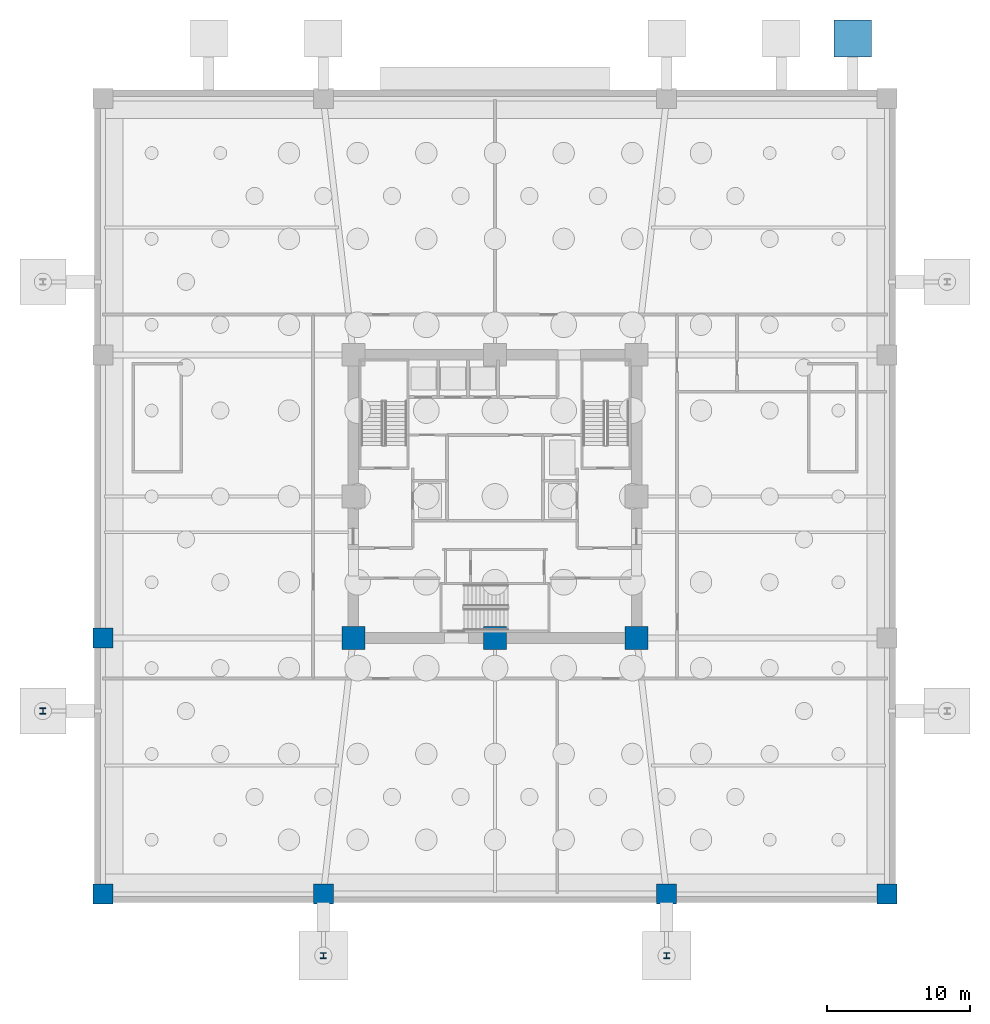
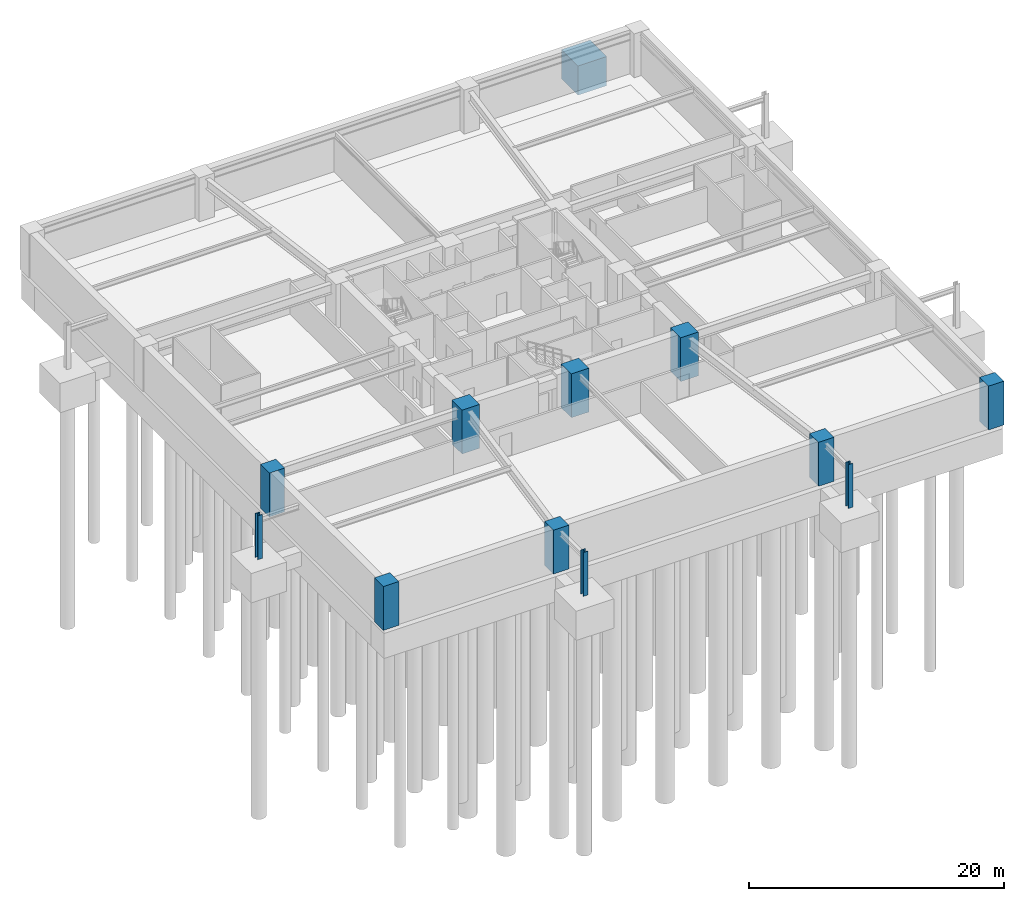
# One storey, part 2 of 8: 11 columns, 1 footing.
"""IFC4 building model written with IfcOpenShell, lengths in metres."""

import ifcopenshell
import ifcopenshell.guid

model = None  # the IFC model being written
_history = None  # IfcOwnerHistory: only IFC2X3 demands one
_inside = {}  # id of a spatial element -> (the spatial element, [elements in it])
_under = {}  # id of a project, library or spatial element -> (it, [spatial elements below it])
_declared = {}  # id of a project -> (the project, [libraries it declares])
_typed = {}  # id of a type object -> (the type object, [elements of that type])
_made_of = {}  # id of a material, layer set ... -> (it, [elements and type objects made of it])


def new_model(schema):
    """Start an empty IFC model of exactly this schema.

    Asked for "IFC4X3", IfcOpenShell would pick the latest addendum, in which some entities
    have other attributes; the version numbers below select the first issue.
    IFC2X3 requires an IfcOwnerHistory on every rooted entity: one is made here for all.
    """
    global model, _history
    if schema == "IFC4X3":
        model = ifcopenshell.file(schema_version=(4, 3, 0, 0))
    else:
        model = ifcopenshell.file(schema=schema)
    _inside.clear()
    _under.clear()
    _declared.clear()
    _typed.clear()
    _made_of.clear()
    _history = None
    if model.schema == "IFC2X3":
        org = make("IfcOrganization", Name="unknown")
        user = make(
            "IfcPersonAndOrganization",
            ThePerson=make("IfcPerson", FamilyName="unknown"),
            TheOrganization=org,
        )
        app = make(
            "IfcApplication",
            ApplicationDeveloper=org,
            Version="unknown",
            ApplicationFullName="unknown",
            ApplicationIdentifier="unknown",
        )
        _history = make(
            "IfcOwnerHistory",
            OwningUser=user,
            OwningApplication=app,
            ChangeAction="ADDED",
            CreationDate=0,
        )
    return model


def make(cls, **values):
    """One entity of the class cls with the attributes given. An attribute that is None is left unset."""
    return model.create_entity(
        cls, **{name: value for name, value in values.items() if value is not None}
    )


def rooted(cls, **values):
    """An entity with a GlobalId (a new one), such as an element, a storey or a relation."""
    return make(cls, GlobalId=ifcopenshell.guid.new(), OwnerHistory=_history, **values)


def si_unit(unit_type, name, prefix=None):
    """IfcSIUnit, for example si_unit("LENGTHUNIT", "METRE", prefix="MILLI")."""
    return make("IfcSIUnit", UnitType=unit_type, Prefix=prefix, Name=name)


def assignment(units):
    """IfcUnitAssignment: the units of a project."""
    return None if units is None else make("IfcUnitAssignment", Units=units)


def point(xyz):
    """IfcCartesianPoint."""
    return None if xyz is None else make("IfcCartesianPoint", Coordinates=xyz)


def direction(xyz):
    """IfcDirection."""
    return None if xyz is None else make("IfcDirection", DirectionRatios=xyz)


def frame(location, z_axis=None, x_axis=None):
    """IfcAxis2Placement3D, a coordinate frame: its origin and axes. An axis left out is left unset."""
    return make(
        "IfcAxis2Placement3D",
        Location=point(location),
        Axis=direction(z_axis),
        RefDirection=direction(x_axis),
    )


def frame_2d(location, x_axis=None):
    """IfcAxis2Placement2D, a coordinate frame in the plane: its origin and x axis."""
    return make(
        "IfcAxis2Placement2D", Location=point(location), RefDirection=direction(x_axis)
    )


def origin():
    """The frame at (0, 0, 0) with its axes left unset."""
    return frame((0.0, 0.0, 0.0))


def origin_2d():
    """The frame at (0, 0) in the plane with its x axis left unset."""
    return frame_2d((0.0, 0.0))


def place(relative_to, where):
    """IfcLocalPlacement: puts the frame where relative to a parent placement (None: the world)."""
    return make(
        "IfcLocalPlacement", PlacementRelTo=relative_to, RelativePlacement=where
    )


def context(
    kind, dimensions, precision=None, world=None, true_north=None, identifier=None
):
    """IfcGeometricRepresentationContext, for example the 3D "Model" context."""
    return make(
        "IfcGeometricRepresentationContext",
        ContextIdentifier=identifier,
        ContextType=kind,
        CoordinateSpaceDimension=dimensions,
        Precision=precision,
        WorldCoordinateSystem=world,
        TrueNorth=true_north,
    )


def subcontext(parent, identifier, kind, view, scale=None):
    """IfcGeometricRepresentationSubContext, for example "Body" below "Model"."""
    return make(
        "IfcGeometricRepresentationSubContext",
        ContextIdentifier=identifier,
        ContextType=kind,
        ParentContext=parent,
        TargetScale=scale,
        TargetView=view,
    )


def project(units=None, contexts=None):
    """IfcProject with its units and contexts."""
    return rooted(
        "IfcProject",
        Name="project",
        RepresentationContexts=contexts,
        UnitsInContext=assignment(units),
    )


def spatial(cls, under=None, at=None, **own):
    """A site, building, storey or space (cls), placed at a placement, below another one or the project."""
    s = rooted(cls, ObjectPlacement=at, **own)
    if under is not None:
        _under.setdefault(under.id(), (under, []))[1].append(s)
    return s


def polyline(points):
    """IfcPolyline through the points."""
    return make("IfcPolyline", Points=[point(p) for p in points])


def profile(cls, at=None, kind="AREA", **sizes):
    """A parametric profile (cls). Its sizes go by their IFC names, for example OverallWidth=200.0."""
    return make(cls, ProfileType=kind, Position=at, **sizes)


def rectangle(**sizes):
    """IfcRectangleProfileDef."""
    return profile("IfcRectangleProfileDef", **sizes)


def i_section(**sizes):
    """IfcIShapeProfileDef."""
    return profile("IfcIShapeProfileDef", **sizes)


def outline(outer, holes=None, kind="AREA"):
    """IfcArbitraryClosedProfileDef: a profile drawn as a closed curve; with holes, ...WithVoids."""
    if holes is None:
        return make("IfcArbitraryClosedProfileDef", ProfileType=kind, OuterCurve=outer)
    return make(
        "IfcArbitraryProfileDefWithVoids",
        ProfileType=kind,
        OuterCurve=outer,
        InnerCurves=holes,
    )


def extrude(swept, where, along, depth):
    """IfcExtrudedAreaSolid: the profile swept, set in the frame where, extruded along a direction by depth."""
    return make(
        "IfcExtrudedAreaSolid",
        SweptArea=swept,
        Position=where,
        ExtrudedDirection=direction(along),
        Depth=depth,
    )


def shape(context_of_items, identifier, shape_type, items):
    """IfcShapeRepresentation: the items that make up one representation, for example the "Body"."""
    return make(
        "IfcShapeRepresentation",
        ContextOfItems=context_of_items,
        RepresentationIdentifier=identifier,
        RepresentationType=shape_type,
        Items=items,
    )


def material(Name=None, Category=None):
    """IfcMaterial."""
    return make("IfcMaterial", Name=Name, Category=Category)


def material_profile(
    of_material, cross_section, Name=None, Category=None, Priority=None
):
    """IfcMaterialProfile: a cross section and its material."""
    return make(
        "IfcMaterialProfile",
        Name=Name,
        Material=of_material,
        Profile=cross_section,
        Priority=Priority,
        Category=Category,
    )


def profile_set(profiles, Name=None, composite=None):
    """IfcMaterialProfileSet."""
    return make(
        "IfcMaterialProfileSet",
        Name=Name,
        MaterialProfiles=profiles,
        CompositeProfile=composite,
    )


def made_of(thing, what):
    """Note that an element or type object is made of a material, layer set ...; save() writes the relation."""
    if what is not None:
        _made_of.setdefault(what.id(), (what, []))[1].append(thing)
    return thing


def type_object(cls, material=None, **own):
    """A type object (cls), such as IfcWallType, which elements share."""
    return made_of(rooted(cls, **own), material)


def element(
    cls,
    number,
    at=None,
    inside=None,
    cuts=None,
    type_object=None,
    material=None,
    context=None,
    identifier="Body",
    shape_type=None,
    held_by="IfcProductDefinitionShape",
    body=None,
    shapes=None,
    **own,
):
    """One element of the class cls, such as IfcWall. Its Tag is "e" and its number.

    at: its placement. inside: the storey or other place that contains it. cuts: it is an
    opening in that element (IfcRelVoidsElement). A single representation is given by context,
    identifier, shape_type and body (its items); several are given by shapes. held_by: the class
    of the entity that holds the representations. save() writes the other relations.
    """
    e = rooted(cls, Tag="e%d" % number, ObjectPlacement=at, **own)
    if body is not None:
        shapes = [shape(context, identifier, shape_type, body)]
    if shapes is not None:
        e.Representation = make(held_by, Representations=shapes)
    if inside is not None:
        _inside.setdefault(inside.id(), (inside, []))[1].append(e)
    if cuts is not None:
        rooted(
            "IfcRelVoidsElement", RelatingBuildingElement=cuts, RelatedOpeningElement=e
        )
    if type_object is not None:
        _typed.setdefault(type_object.id(), (type_object, []))[1].append(e)
    return made_of(e, material)


def aggregate(whole, parts):
    """IfcRelAggregates: a whole, such as a stair, and the parts it consists of."""
    return rooted("IfcRelAggregates", RelatingObject=whole, RelatedObjects=parts)


def save(model, path):
    """Write the relations noted so far, then the file.

    IfcRelAggregates (storeys below a building ...), IfcRelContainedInSpatialStructure (elements
    in a storey), IfcRelDefinesByType, IfcRelAssociatesMaterial and IfcRelDeclares: one each for
    every whole, place, type object, material and project.
    """
    for whole, parts in _under.values():
        aggregate(whole, parts)
    for where, things in _inside.values():
        rooted(
            "IfcRelContainedInSpatialStructure",
            RelatedElements=things,
            RelatingStructure=where,
        )
    for kind, things in _typed.values():
        rooted("IfcRelDefinesByType", RelatedObjects=things, RelatingType=kind)
    for what, things in _made_of.values():
        rooted("IfcRelAssociatesMaterial", RelatedObjects=things, RelatingMaterial=what)
    for by, libraries in _declared.values():
        rooted("IfcRelDeclares", RelatingContext=by, RelatedDefinitions=libraries)
    model.write(path)


model = new_model("IFC4")

# Units and contexts
model_context = context("Model", 3, precision=1e-05, world=origin(), true_north=direction((0.0, 1.0)))
body_context = subcontext(model_context, "Body", "Model", "MODEL_VIEW")
ifc_project = project(units=[si_unit("LENGTHUNIT", "METRE"), si_unit("AREAUNIT", "SQUARE_METRE"), si_unit("VOLUMEUNIT", "CUBIC_METRE"), si_unit("PLANEANGLEUNIT", "RADIAN"), si_unit("MASSUNIT", "GRAM", prefix="KILO")], contexts=[model_context])

# Site, building, storey
site_placement = place(None, origin())
site = spatial("IfcSite", under=ifc_project, at=site_placement, CompositionType="ELEMENT")
building_placement = place(site_placement, origin())
building = spatial("IfcBuilding", under=site, at=building_placement, Name="Kolvaren Belvedere", CompositionType="ELEMENT")
storey_placement = place(building_placement, frame((0.0, 0.0, -12.60009765625)))
storey = spatial("IfcBuildingStorey", under=building, at=storey_placement, Name="B03", CompositionType="ELEMENT", Elevation=-12.60009765625)

# Footing
ifc_material_1 = material(Name="Concrete C50/60", Category="concrete")
footing_type = type_object("IfcFootingType", Name="FT-PAD-2600", PredefinedType="PAD_FOOTING", material=ifc_material_1)
footing_placement = place(storey_placement, frame((0.0, 0.0, -2.7998046875)))
element("IfcFooting", 1, at=footing_placement, inside=storey, type_object=footing_type, Name="North Plaza Pad Footing N5", PredefinedType="PAD_FOOTING", context=body_context, shape_type="SweptSolid", body=[
    extrude(outline(polyline([(23.699951171875, 30.699951171875), (26.300048828125, 30.699951171875), (26.300048828125, 33.300048828125), (23.699951171875, 33.300048828125), (23.699951171875, 30.699951171875)])), origin(), (0.0, 0.0, 1.0), 2.7998046875),
])

# Columns
ifc_material_2 = material(Name="Concrete C60/75", Category="concrete")
ifc_material_profile_1 = material_profile(ifc_material_2, rectangle(XDim=1.39990234375, YDim=1.39990234375, at=origin_2d()), Name="RC 1400X1400")
ifc_profile_set_1 = profile_set([ifc_material_profile_1], Name="Concrete C60/75")
column_type_1 = type_object("IfcColumnType", Name="COL-RC-1400", PredefinedType="COLUMN", material=ifc_profile_set_1)
for number, where, z_axis, x_axis, name in (
    (2, (-27.39990234375, -27.800048828125, 0.0), (0.0, 0.0, 1.0), (1.0, 0.0, 0.0), "B03 Podium Mega-Column PA1"),
    (3, (-12.0, -27.800048828125, 0.0), (0.0, 0.0, 1.0), (1.0, 0.0, 0.0), "B03 Podium Mega-Column PA2"),
    (4, (12.0, -27.800048828125, 0.0), (0.0, 0.0, 1.0), (1.0, 0.0, 0.0), "B03 Podium Mega-Column PA3"),
    (5, (27.39990234375, -27.800048828125, 0.0), (0.0, 0.0, 1.0), (1.0, 0.0, 0.0), "B03 Podium Mega-Column PA4"),
    (6, (-27.39990234375, -9.89990234375, 0.0), (0.0, 0.0, 1.0), (1.0, 0.0, 0.0), "B03 Podium Mega-Column PB1"),
):
    element("IfcColumn", number, at=place(storey_placement, frame(where, z_axis=z_axis, x_axis=x_axis)), inside=storey, type_object=column_type_1, Name=name, PredefinedType="COLUMN", context=body_context, shape_type="SweptSolid", body=[
        extrude(rectangle(XDim=1.39990234375, YDim=1.39990234375, at=origin_2d()), origin(), (0.0, 0.0, 1.0), 4.2001953125),
    ])
ifc_material_3 = material(Name="Concrete C60/75", Category="concrete")
ifc_material_profile_2 = material_profile(ifc_material_3, rectangle(XDim=1.60009765625, YDim=1.60009765625, at=origin_2d()), Name="RC 1600X1600")
ifc_profile_set_2 = profile_set([ifc_material_profile_2], Name="Concrete C60/75")
column_type_2 = type_object("IfcColumnType", Name="COL-RC-1600", PredefinedType="COLUMN", material=ifc_profile_set_2)
for number, where, z_axis, x_axis, name in (
    (7, (-9.89990234375, -9.89990234375, 0.0), (0.0, 0.0, 1.0), (1.0, 0.0, 0.0), "B03 Core Column CC1"),
    (8, (9.89990234375, -9.89990234375, 0.0), (0.0, 0.0, 1.0), (1.0, 0.0, 0.0), "B03 Core Column CC2"),
    (9, (0.0, -9.89990234375, 0.0), (0.0, 0.0, 1.0), (1.0, 0.0, 0.0), "B03 Core Column CM1"),
):
    element("IfcColumn", number, at=place(storey_placement, frame(where, z_axis=z_axis, x_axis=x_axis)), inside=storey, type_object=column_type_2, Name=name, PredefinedType="COLUMN", context=body_context, shape_type="SweptSolid", body=[
        extrude(rectangle(XDim=1.60009765625, YDim=1.60009765625, at=origin_2d()), origin(), (0.0, 0.0, 1.0), 4.2001953125),
    ])
ifc_material_4 = material(Name="Structural steel ASTM A992 Grade 50", Category="steel")
ifc_material_profile_3 = material_profile(ifc_material_4, i_section(OverallWidth=0.412109375, OverallDepth=0.43505859375, WebThickness=0.035888671875, FlangeThickness=0.057373046875, FilletRadius=0.02490234375, at=origin_2d()), Name="W14X311")
ifc_profile_set_3 = profile_set([ifc_material_profile_3], Name="Structural steel ASTM A992 Grade 50")
column_type_3 = type_object("IfcColumnType", Name="COL-ST-W14X311", PredefinedType="COLUMN", material=ifc_profile_set_3)
for number, where, z_axis, x_axis, name in (
    (10, (-31.60009765625, -15.0, 0.0), (0.0, 0.0, 1.0), (1.0, 0.0, 0.0), "B03 Forecourt Canopy Column PAD-SW"),
    (11, (-12.0, -32.10009765625, 0.0), (0.0, 0.0, 1.0), (1.0, 0.0, 0.0), "B03 Forecourt Canopy Column PAD-S1"),
    (12, (12.0, -32.10009765625, 0.0), (0.0, 0.0, 1.0), (1.0, 0.0, 0.0), "B03 Forecourt Canopy Column PAD-S2"),
):
    element("IfcColumn", number, at=place(storey_placement, frame(where, z_axis=z_axis, x_axis=x_axis)), inside=storey, type_object=column_type_3, Name=name, PredefinedType="COLUMN", context=body_context, shape_type="SweptSolid", body=[
        extrude(i_section(OverallWidth=0.412109375, OverallDepth=0.43505859375, WebThickness=0.035888671875, FlangeThickness=0.057373046875, FilletRadius=0.02490234375, at=origin_2d()), origin(), (0.0, 0.0, 1.0), 4.2001953125),
    ])

save(model, "model.ifc")
